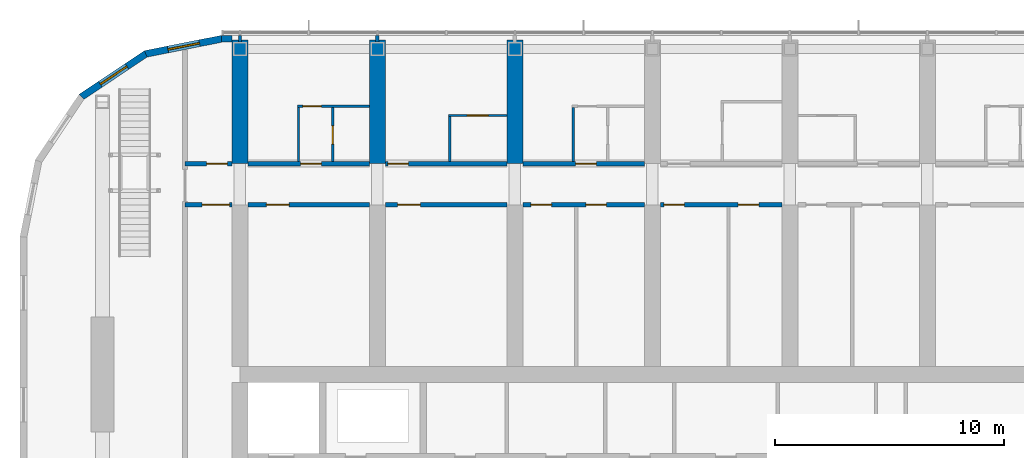
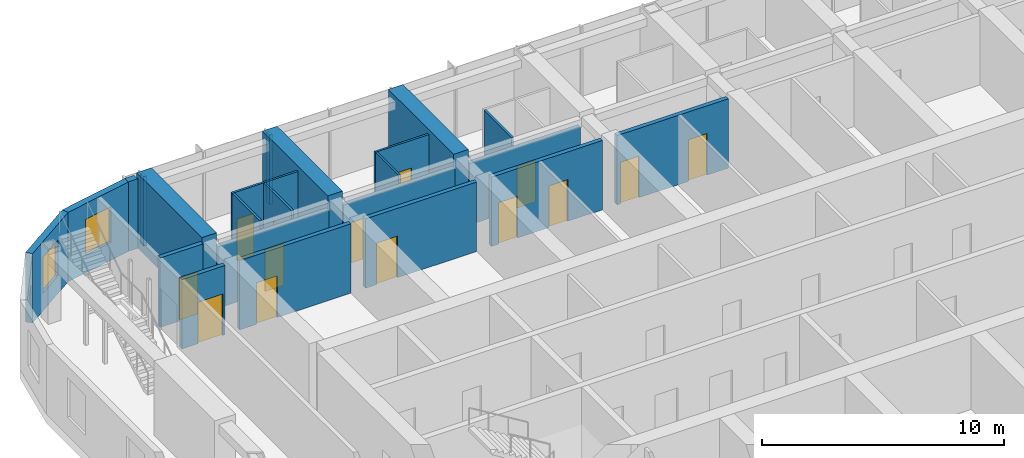
# One storey, part 17 of 26: 23 walls, 14 doors, 2 windows, 16 openings.
"""IFC4 building model written with IfcOpenShell, lengths in metres."""

from ifc_helpers import new_model, si_unit, direction, frame, frame_2d, origin, place, context, subcontext, project, spatial, polyline, rectangle, outline, extrude, material, layer, layer_set, type_object, element, fill, save


model = new_model("IFC4")

# Units and contexts
model_context = context("Model", 3, precision=1e-05, world=origin(), true_north=direction((0.0, 1.0)))
body_context = subcontext(model_context, "Body", "Model", "MODEL_VIEW")
ifc_project = project(units=[si_unit("LENGTHUNIT", "METRE"), si_unit("AREAUNIT", "SQUARE_METRE"), si_unit("VOLUMEUNIT", "CUBIC_METRE"), si_unit("PLANEANGLEUNIT", "RADIAN"), si_unit("MASSUNIT", "GRAM", prefix="KILO")], contexts=[model_context])

# Site, building, storey
site_placement = place(None, origin())
site = spatial("IfcSite", under=ifc_project, at=site_placement, CompositionType="ELEMENT")
building_placement = place(site_placement, origin())
building = spatial("IfcBuilding", under=site, at=building_placement, Name="Orbita Commons", CompositionType="ELEMENT")
storey_placement = place(building_placement, frame((0.0, 0.0, 231.550048828125)))
storey = spatial("IfcBuildingStorey", under=building, at=storey_placement, Name="L57", CompositionType="ELEMENT", Elevation=231.550048828125)

# Wall, opening, door
ifc_material_1 = material(Name="Concrete blockwork", Category="masonry")
ifc_layer_1 = layer(ifc_material_1, 0.199951171875)
ifc_layer_set_1 = layer_set([ifc_layer_1], Name="Concrete blockwork")
wall_type_1 = type_object("IfcWallType", Name="Corridor wall 200 blockwork", PredefinedType="SOLIDWALL", material=ifc_layer_set_1)
wall_1_placement = place(storey_placement, frame((15.60009765625, 47.39990234375, 0.0), z_axis=(0.0, 0.0, 1.0), x_axis=(1.0, 0.0, 0.0)))
wall_1 = element("IfcWall", 1, at=wall_1_placement, inside=storey, type_object=wall_type_1, Name="Corridor wall 200 blockwork L57", PredefinedType="SOLIDWALL", context=body_context, shape_type="SweptSolid", body=[
    extrude(rectangle(XDim=2.0498046875, YDim=0.199951171875, at=frame_2d((1.02490234375, 0.0))), origin(), (0.0, 0.0, 1.0), 3.5),
])
opening_1_placement = place(wall_1_placement, frame((0.949951171875, 0.0, 0.0)))
opening_1 = element("IfcOpeningElement", 2, at=opening_1_placement, cuts=wall_1, Name="Opening D05", PredefinedType="OPENING", context=body_context, shape_type="SweptSolid", body=[
    extrude(rectangle(XDim=0.89990234375, YDim=2.10009765625, at=frame_2d((0.449951171875, 1.050048828125))), frame((0.0, 0.10986328125, 0.0), z_axis=(0.0, -1.0, 0.0), x_axis=(1.0, 0.0, 0.0)), (0.0, 0.0, 1.0), 0.219970703125),
])
ifc_material_2 = material(Name="Steel-faced fire door leaf", Category="steel")
door_type_1 = type_object("IfcDoorType", Name="Service door 20 min 900x2100", OperationType="SINGLE_SWING_LEFT", PredefinedType="DOOR", material=ifc_material_2)
door_1_placement = place(opening_1_placement, origin())
door_1 = element("IfcDoor", 3, at=door_1_placement, inside=storey, type_object=door_type_1, Name="Linen store L57-KWN door", OperationType="SINGLE_SWING_LEFT", OverallHeight=2.10009765625, OverallWidth=0.89990234375, PredefinedType="DOOR", context=body_context, shape_type="SweptSolid", body=[
    extrude(rectangle(XDim=0.89990234375, YDim=2.10009765625, at=frame_2d((0.449951171875, 1.050048828125))), frame((0.0, 0.02490234375, 0.0), z_axis=(0.0, -1.0, 0.0), x_axis=(1.0, 0.0, 0.0)), (0.0, 0.0, 1.0), 0.050048828125),
])
fill(opening_1, door_1)

wall_2_placement = place(storey_placement, frame((18.35009765625, 47.39990234375, 0.0), z_axis=(0.0, 0.0, 1.0), x_axis=(1.0, 0.0, 0.0)))
wall_2 = element("IfcWall", 4, at=wall_2_placement, inside=storey, type_object=wall_type_1, Name="Corridor wall 200 blockwork L57", PredefinedType="SOLIDWALL", context=body_context, shape_type="SweptSolid", body=[
    extrude(outline(polyline([(0.0, 0.0), (5.2998046875, 0.0), (5.300048828125, 3.099853515625), (0.0, 3.099853515625), (0.0, 0.0)])), frame((0.0, 0.10009765625, 0.0), z_axis=(0.0, -1.0, 0.0), x_axis=(1.0, 0.0, 0.0)), (0.0, 0.0, 1.0), 0.199951171875),
])
opening_2_placement = place(wall_2_placement, frame((2.300048828125, 0.0, 0.0)))
opening_2 = element("IfcOpeningElement", 5, at=opening_2_placement, cuts=wall_2, Name="Opening D11", PredefinedType="OPENING", context=body_context, shape_type="SweptSolid", body=[
    extrude(rectangle(XDim=0.89990234375, YDim=2.10009765625, at=frame_2d((0.449951171875, 1.050048828125))), frame((0.0, 0.10986328125, 0.0), z_axis=(0.0, -1.0, 0.0), x_axis=(1.0, 0.0, 0.0)), (0.0, 0.0, 1.0), 0.219970703125),
])
ifc_material_3 = material(Name="Steel-faced fire door leaf", Category="steel")
door_type_2 = type_object("IfcDoorType", Name="Corridor door 20 min 900x2100", OperationType="SINGLE_SWING_LEFT", PredefinedType="DOOR", material=ifc_material_3)
door_2_placement = place(opening_2_placement, origin())
door_2 = element("IfcDoor", 6, at=door_2_placement, inside=storey, type_object=door_type_2, Name="Studio flat L57-N00 entrance door", OperationType="SINGLE_SWING_LEFT", OverallHeight=2.10009765625, OverallWidth=0.89990234375, PredefinedType="DOOR", context=body_context, shape_type="SweptSolid", body=[
    extrude(rectangle(XDim=0.89990234375, YDim=2.10009765625, at=frame_2d((0.449951171875, 1.050048828125))), frame((0.0, 0.02490234375, 0.0), z_axis=(0.0, -1.0, 0.0), x_axis=(1.0, 0.0, 0.0)), (0.0, 0.0, 1.0), 0.050048828125),
])
fill(opening_2, door_2)

wall_3_placement = place(storey_placement, frame((24.35009765625, 47.39990234375, 0.0), z_axis=(0.0, 0.0, 1.0), x_axis=(1.0, 0.0, 0.0)))
wall_3 = element("IfcWall", 7, at=wall_3_placement, inside=storey, type_object=wall_type_1, Name="Corridor wall 200 blockwork L57", PredefinedType="SOLIDWALL", context=body_context, shape_type="SweptSolid", body=[
    extrude(outline(polyline([(0.0, 0.0), (5.2998046875, 0.0), (5.300048828125, 3.099853515625), (0.0, 3.099853515625), (0.0, 0.0)])), frame((0.0, 0.10009765625, 0.0), z_axis=(0.0, -1.0, 0.0), x_axis=(1.0, 0.0, 0.0)), (0.0, 0.0, 1.0), 0.199951171875),
])
opening_3_placement = place(wall_3_placement, frame((0.10009765625, 0.0, 0.0)))
opening_3 = element("IfcOpeningElement", 8, at=opening_3_placement, cuts=wall_3, Name="Opening D11", PredefinedType="OPENING", context=body_context, shape_type="SweptSolid", body=[
    extrude(rectangle(XDim=0.89990234375, YDim=2.10009765625, at=frame_2d((0.449951171875, 1.050048828125))), frame((0.0, 0.10986328125, 0.0), z_axis=(0.0, -1.0, 0.0), x_axis=(1.0, 0.0, 0.0)), (0.0, 0.0, 1.0), 0.219970703125),
])
door_3_placement = place(opening_3_placement, origin())
door_3 = element("IfcDoor", 9, at=door_3_placement, inside=storey, type_object=door_type_2, Name="Studio apartment with kitchenette L57-N02 door", OperationType="SINGLE_SWING_LEFT", OverallHeight=2.10009765625, OverallWidth=0.89990234375, PredefinedType="DOOR", context=body_context, shape_type="SweptSolid", body=[
    extrude(rectangle(XDim=0.89990234375, YDim=2.10009765625, at=frame_2d((0.449951171875, 1.050048828125))), frame((0.0, 0.02490234375, 0.0), z_axis=(0.0, -1.0, 0.0), x_axis=(1.0, 0.0, 0.0)), (0.0, 0.0, 1.0), 0.050048828125),
])
fill(opening_3, door_3)

wall_4_placement = place(storey_placement, frame((30.35009765625, 47.39990234375, 0.0), z_axis=(0.0, 0.0, 1.0), x_axis=(1.0, 0.0, 0.0)))
wall_4 = element("IfcWall", 10, at=wall_4_placement, inside=storey, type_object=wall_type_1, Name="Corridor wall 200 blockwork L57", PredefinedType="SOLIDWALL", context=body_context, shape_type="SweptSolid", body=[
    extrude(outline(polyline([(0.0, 0.0), (5.2998046875, 0.0), (5.300048828125, 3.099853515625), (0.0, 3.099853515625), (0.0, 0.0)])), frame((0.0, 0.10009765625, 0.0), z_axis=(0.0, -1.0, 0.0), x_axis=(1.0, 0.0, 0.0)), (0.0, 0.0, 1.0), 0.199951171875),
])
opening_4_placement = place(wall_4_placement, frame((2.300048828125, 0.0, 0.0)))
opening_4 = element("IfcOpeningElement", 11, at=opening_4_placement, cuts=wall_4, Name="Opening D11", PredefinedType="OPENING", context=body_context, shape_type="SweptSolid", body=[
    extrude(rectangle(XDim=0.89990234375, YDim=2.10009765625, at=frame_2d((0.449951171875, 1.050048828125))), frame((0.0, 0.10986328125, 0.0), z_axis=(0.0, -1.0, 0.0), x_axis=(1.0, 0.0, 0.0)), (0.0, 0.0, 1.0), 0.219970703125),
])
door_4_placement = place(opening_4_placement, origin())
door_4 = element("IfcDoor", 12, at=door_4_placement, inside=storey, type_object=door_type_2, Name="Studio flat L57-N04 entrance door", OperationType="SINGLE_SWING_LEFT", OverallHeight=2.10009765625, OverallWidth=0.89990234375, PredefinedType="DOOR", context=body_context, shape_type="SweptSolid", body=[
    extrude(rectangle(XDim=0.89990234375, YDim=2.10009765625, at=frame_2d((0.449951171875, 1.050048828125))), frame((0.0, 0.02490234375, 0.0), z_axis=(0.0, -1.0, 0.0), x_axis=(1.0, 0.0, 0.0)), (0.0, 0.0, 1.0), 0.050048828125),
])
fill(opening_4, door_4)

ifc_material_4 = material(Name="Hollow concrete block 200", Category="concrete")
ifc_layer_2 = layer(ifc_material_4, 0.199951171875)
ifc_layer_set_2 = layer_set([ifc_layer_2], Name="Hollow concrete block 200")
wall_type_2 = type_object("IfcWallType", Name="Corridor wall 200 hollow concrete block", PredefinedType="SOLIDWALL", material=ifc_layer_set_2)
wall_5_placement = place(storey_placement, frame((15.60009765625, 45.60009765625, 0.0), z_axis=(0.0, 0.0, 1.0), x_axis=(1.0, 0.0, 0.0)))
wall_5 = element("IfcWall", 13, at=wall_5_placement, inside=storey, type_object=wall_type_2, Name="Corridor wall 200 hollow concrete block L57", PredefinedType="SOLIDWALL", context=body_context, shape_type="SweptSolid", body=[
    extrude(rectangle(XDim=2.0498046875, YDim=0.199951171875, at=frame_2d((1.02490234375, 0.0))), origin(), (0.0, 0.0, 1.0), 3.5),
])
opening_5_placement = place(wall_5_placement, frame((0.75, 0.0, 0.0)))
opening_5 = element("IfcOpeningElement", 14, at=opening_5_placement, cuts=wall_5, Name="Opening D12", PredefinedType="OPENING", context=body_context, shape_type="SweptSolid", body=[
    extrude(rectangle(XDim=1.199951171875, YDim=2.10009765625, at=frame_2d((0.60009765625, 1.050048828125))), frame((0.0, 0.10986328125, 0.0), z_axis=(0.0, -1.0, 0.0), x_axis=(1.0, 0.0, 0.0)), (0.0, 0.0, 1.0), 0.219970703125),
])
ifc_material_5 = material(Name="Steel-faced fire door leaf", Category="steel")
door_type_3 = type_object("IfcDoorType", Name="Double corridor door 20 min 1200x2100", OperationType="DOUBLE_DOOR_SINGLE_SWING", PredefinedType="DOOR", material=ifc_material_5)
door_5_placement = place(opening_5_placement, origin())
door_5 = element("IfcDoor", 15, at=door_5_placement, inside=storey, type_object=door_type_3, Name="Cross corridor doors", OperationType="DOUBLE_DOOR_SINGLE_SWING", OverallHeight=2.10009765625, OverallWidth=1.199951171875, PredefinedType="DOOR", context=body_context, shape_type="SweptSolid", body=[
    extrude(rectangle(XDim=1.199951171875, YDim=2.10009765625, at=frame_2d((0.60009765625, 1.050048828125))), frame((0.0, 0.02490234375, 0.0), z_axis=(0.0, -1.0, 0.0), x_axis=(1.0, 0.0, 0.0)), (0.0, 0.0, 1.0), 0.050048828125),
])
fill(opening_5, door_5)

wall_6_placement = place(storey_placement, frame((18.35009765625, 45.60009765625, 0.0), z_axis=(0.0, 0.0, 1.0), x_axis=(1.0, 0.0, 0.0)))
wall_6 = element("IfcWall", 16, at=wall_6_placement, inside=storey, type_object=wall_type_2, Name="Corridor wall 200 hollow concrete block L57", PredefinedType="SOLIDWALL", context=body_context, shape_type="SweptSolid", body=[
    extrude(rectangle(XDim=5.2998046875, YDim=0.199951171875, at=frame_2d((2.64990234375, 0.0))), origin(), (0.0, 0.0, 1.0), 3.5),
])
opening_6_placement = place(wall_6_placement, frame((0.800048828125, 0.0, 0.0)))
opening_6 = element("IfcOpeningElement", 17, at=opening_6_placement, cuts=wall_6, Name="Opening D06", PredefinedType="OPENING", context=body_context, shape_type="SweptSolid", body=[
    extrude(rectangle(XDim=1.0, YDim=2.10009765625, at=frame_2d((0.5, 1.050048828125))), frame((0.0, 0.10986328125, 0.0), z_axis=(0.0, -1.0, 0.0), x_axis=(1.0, 0.0, 0.0)), (0.0, 0.0, 1.0), 0.219970703125),
])
ifc_material_6 = material(Name="Steel-faced fire door leaf", Category="steel")
door_type_4 = type_object("IfcDoorType", Name="Corridor door 20 min 1000x2100", OperationType="SINGLE_SWING_LEFT", PredefinedType="DOOR", material=ifc_material_6)
door_6_placement = place(opening_6_placement, origin())
door_6 = element("IfcDoor", 18, at=door_6_placement, inside=storey, type_object=door_type_4, Name="Refuse and recycling room L57-BDN18 door", OperationType="SINGLE_SWING_LEFT", OverallHeight=2.10009765625, OverallWidth=1.0, PredefinedType="DOOR", context=body_context, shape_type="SweptSolid", body=[
    extrude(rectangle(XDim=1.0, YDim=2.10009765625, at=frame_2d((0.5, 1.050048828125))), frame((0.0, 0.02490234375, 0.0), z_axis=(0.0, -1.0, 0.0), x_axis=(1.0, 0.0, 0.0)), (0.0, 0.0, 1.0), 0.050048828125),
])
fill(opening_6, door_6)

wall_7_placement = place(storey_placement, frame((24.35009765625, 45.60009765625, 0.0), z_axis=(0.0, 0.0, 1.0), x_axis=(1.0, 0.0, 0.0)))
wall_7 = element("IfcWall", 19, at=wall_7_placement, inside=storey, type_object=wall_type_2, Name="Corridor wall 200 hollow concrete block L57", PredefinedType="SOLIDWALL", context=body_context, shape_type="SweptSolid", body=[
    extrude(rectangle(XDim=5.2998046875, YDim=0.199951171875, at=frame_2d((2.64990234375, 0.0))), origin(), (0.0, 0.0, 1.0), 3.5),
])
opening_7_placement = place(wall_7_placement, frame((0.52490234375, 0.0, 0.0)))
opening_7 = element("IfcOpeningElement", 20, at=opening_7_placement, cuts=wall_7, Name="Opening D06", PredefinedType="OPENING", context=body_context, shape_type="SweptSolid", body=[
    extrude(rectangle(XDim=1.0, YDim=2.10009765625, at=frame_2d((0.5, 1.050048828125))), frame((0.0, 0.10986328125, 0.0), z_axis=(0.0, -1.0, 0.0), x_axis=(1.0, 0.0, 0.0)), (0.0, 0.0, 1.0), 0.219970703125),
])
door_7_placement = place(opening_7_placement, origin())
door_7 = element("IfcDoor", 21, at=door_7_placement, inside=storey, type_object=door_type_4, Name="Cleaners store L57-BDN24 door", OperationType="SINGLE_SWING_LEFT", OverallHeight=2.10009765625, OverallWidth=1.0, PredefinedType="DOOR", context=body_context, shape_type="SweptSolid", body=[
    extrude(rectangle(XDim=1.0, YDim=2.10009765625, at=frame_2d((0.5, 1.050048828125))), frame((0.0, 0.02490234375, 0.0), z_axis=(0.0, -1.0, 0.0), x_axis=(1.0, 0.0, 0.0)), (0.0, 0.0, 1.0), 0.050048828125),
])
fill(opening_7, door_7)

# Wall, openings, doors
wall_8_placement = place(storey_placement, frame((30.35009765625, 45.60009765625, 0.0), z_axis=(0.0, 0.0, 1.0), x_axis=(1.0, 0.0, 0.0)))
wall_8 = element("IfcWall", 22, at=wall_8_placement, inside=storey, type_object=wall_type_2, Name="Corridor wall 200 hollow concrete block L57", PredefinedType="SOLIDWALL", context=body_context, shape_type="SweptSolid", body=[
    extrude(rectangle(XDim=5.2998046875, YDim=0.199951171875, at=frame_2d((2.64990234375, 0.0))), origin(), (0.0, 0.0, 1.0), 3.5),
])
opening_8_placement = place(wall_8_placement, frame((0.35009765625, 0.0, 0.0)))
opening_8 = element("IfcOpeningElement", 23, at=opening_8_placement, cuts=wall_8, Name="Opening D11", PredefinedType="OPENING", context=body_context, shape_type="SweptSolid", body=[
    extrude(rectangle(XDim=0.89990234375, YDim=2.10009765625, at=frame_2d((0.449951171875, 1.050048828125))), frame((0.0, 0.10986328125, 0.0), z_axis=(0.0, -1.0, 0.0), x_axis=(1.0, 0.0, 0.0)), (0.0, 0.0, 1.0), 0.219970703125),
])
opening_9_placement = place(wall_8_placement, frame((2.7451171875, 0.0, 0.0)))
opening_9 = element("IfcOpeningElement", 24, at=opening_9_placement, cuts=wall_8, Name="Opening D11", PredefinedType="OPENING", context=body_context, shape_type="SweptSolid", body=[
    extrude(rectangle(XDim=0.89990234375, YDim=2.10009765625, at=frame_2d((0.449951171875, 1.050048828125))), frame((0.0, 0.10986328125, 0.0), z_axis=(0.0, -1.0, 0.0), x_axis=(1.0, 0.0, 0.0)), (0.0, 0.0, 1.0), 0.219970703125),
])
door_8_placement = place(opening_8_placement, origin())
door_8 = element("IfcDoor", 25, at=door_8_placement, inside=storey, type_object=door_type_2, Name="Battery and UPS room L57-BDN30n door", OperationType="SINGLE_SWING_LEFT", OverallHeight=2.10009765625, OverallWidth=0.89990234375, PredefinedType="DOOR", context=body_context, shape_type="SweptSolid", body=[
    extrude(rectangle(XDim=0.89990234375, YDim=2.10009765625, at=frame_2d((0.449951171875, 1.050048828125))), frame((0.0, 0.02490234375, 0.0), z_axis=(0.0, -1.0, 0.0), x_axis=(1.0, 0.0, 0.0)), (0.0, 0.0, 1.0), 0.050048828125),
])
fill(opening_8, door_8)
door_9_placement = place(opening_9_placement, origin())
door_9 = element("IfcDoor", 26, at=door_9_placement, inside=storey, type_object=door_type_2, Name="Furniture store L57-BDN30 door", OperationType="SINGLE_SWING_LEFT", OverallHeight=2.10009765625, OverallWidth=0.89990234375, PredefinedType="DOOR", context=body_context, shape_type="SweptSolid", body=[
    extrude(rectangle(XDim=0.89990234375, YDim=2.10009765625, at=frame_2d((0.449951171875, 1.050048828125))), frame((0.0, 0.02490234375, 0.0), z_axis=(0.0, -1.0, 0.0), x_axis=(1.0, 0.0, 0.0)), (0.0, 0.0, 1.0), 0.050048828125),
])
fill(opening_9, door_9)

wall_9_placement = place(storey_placement, frame((36.35009765625, 45.60009765625, 0.0), z_axis=(0.0, 0.0, 1.0), x_axis=(1.0, 0.0, 0.0)))
wall_9 = element("IfcWall", 27, at=wall_9_placement, inside=storey, type_object=wall_type_2, Name="Corridor wall 200 hollow concrete block L57", PredefinedType="SOLIDWALL", context=body_context, shape_type="SweptSolid", body=[
    extrude(rectangle(XDim=5.2998046875, YDim=0.199951171875, at=frame_2d((2.64990234375, 0.0))), origin(), (0.0, 0.0, 1.0), 3.5),
])
opening_10_placement = place(wall_9_placement, frame((0.14990234375, 0.0, 0.0)))
opening_10 = element("IfcOpeningElement", 28, at=opening_10_placement, cuts=wall_9, Name="Opening D11", PredefinedType="OPENING", context=body_context, shape_type="SweptSolid", body=[
    extrude(rectangle(XDim=0.89990234375, YDim=2.10009765625, at=frame_2d((0.449951171875, 1.050048828125))), frame((0.0, 0.10986328125, 0.0), z_axis=(0.0, -1.0, 0.0), x_axis=(1.0, 0.0, 0.0)), (0.0, 0.0, 1.0), 0.219970703125),
])
opening_11_placement = place(wall_9_placement, frame((3.39501953125, 0.0, 0.0)))
opening_11 = element("IfcOpeningElement", 29, at=opening_11_placement, cuts=wall_9, Name="Opening D11", PredefinedType="OPENING", context=body_context, shape_type="SweptSolid", body=[
    extrude(rectangle(XDim=0.89990234375, YDim=2.10009765625, at=frame_2d((0.449951171875, 1.050048828125))), frame((0.0, 0.10986328125, 0.0), z_axis=(0.0, -1.0, 0.0), x_axis=(1.0, 0.0, 0.0)), (0.0, 0.0, 1.0), 0.219970703125),
])
door_10_placement = place(opening_10_placement, origin())
door_10 = element("IfcDoor", 30, at=door_10_placement, inside=storey, type_object=door_type_2, Name="Bulk and luggage store L57-BDN36 door", OperationType="SINGLE_SWING_LEFT", OverallHeight=2.10009765625, OverallWidth=0.89990234375, PredefinedType="DOOR", context=body_context, shape_type="SweptSolid", body=[
    extrude(rectangle(XDim=0.89990234375, YDim=2.10009765625, at=frame_2d((0.449951171875, 1.050048828125))), frame((0.0, 0.02490234375, 0.0), z_axis=(0.0, -1.0, 0.0), x_axis=(1.0, 0.0, 0.0)), (0.0, 0.0, 1.0), 0.050048828125),
])
fill(opening_10, door_10)
door_11_placement = place(opening_11_placement, origin())
door_11 = element("IfcDoor", 31, at=door_11_placement, inside=storey, type_object=door_type_2, Name="Sprinkler valve room L57-BDN36n door", OperationType="SINGLE_SWING_LEFT", OverallHeight=2.10009765625, OverallWidth=0.89990234375, PredefinedType="DOOR", context=body_context, shape_type="SweptSolid", body=[
    extrude(rectangle(XDim=0.89990234375, YDim=2.10009765625, at=frame_2d((0.449951171875, 1.050048828125))), frame((0.0, 0.02490234375, 0.0), z_axis=(0.0, -1.0, 0.0), x_axis=(1.0, 0.0, 0.0)), (0.0, 0.0, 1.0), 0.050048828125),
])
fill(opening_11, door_11)

# Walls
ifc_material_7 = material(Name="Concrete C50/60", Category="concrete")
ifc_layer_3 = layer(ifc_material_7, 0.699951171875)
ifc_layer_set_3 = layer_set([ifc_layer_3], Name="Concrete C50/60")
wall_type_3 = type_object("IfcWallType", Name="Cross wall 700 C50/60", PredefinedType="SHEAR", material=ifc_layer_set_3)
for number, where, z_axis, x_axis, name in (
    (32, (18.0, 47.39990234375, 0.0), (0.0, 0.0, 1.0), (0.0, 1.0, 0.0), "Cross wall 4 north outer L57"),
    (33, (24.0, 47.39990234375, 0.0), (0.0, 0.0, 1.0), (0.0, 1.0, 0.0), "Cross wall 5 north outer L57"),
    (34, (30.0, 47.39990234375, 0.0), (0.0, 0.0, 1.0), (0.0, 1.0, 0.0), "Cross wall 6 north outer L57"),
):
    element("IfcWall", number, at=place(storey_placement, frame(where, z_axis=z_axis, x_axis=x_axis)), inside=storey, type_object=wall_type_3, Name=name, PredefinedType="SHEAR", context=body_context, shape_type="SweptSolid", body=[
        extrude(rectangle(XDim=5.400146484375, YDim=0.699951171875, at=frame_2d((2.7001953125, 0.0))), origin(), (0.0, 0.0, 1.0), 3.75),
    ])

# Wall, opening, door
ifc_material_8 = material(Name="Moisture-resistant plasterboard on steel studs", Category="steel")
ifc_layer_4 = layer(ifc_material_8, 0.10009765625)
ifc_layer_set_4 = layer_set([ifc_layer_4], Name="Moisture-resistant plasterboard on steel studs")
wall_type_4 = type_object("IfcWallType", Name="En-suite partition 100", PredefinedType="PARTITIONING", material=ifc_layer_set_4)
wall_10_placement = place(storey_placement, frame((20.5, 49.89990234375, 0.0), z_axis=(0.0, 0.0, 1.0), x_axis=(1.0, 0.0, 0.0)))
wall_10 = element("IfcWall", 35, at=wall_10_placement, inside=storey, type_object=wall_type_4, Name="En-suite partition 100 L57", PredefinedType="PARTITIONING", context=body_context, shape_type="SweptSolid", body=[
    extrude(rectangle(XDim=3.14990234375, YDim=0.10009765625, at=frame_2d((1.574951171875, 0.0))), origin(), (0.0, 0.0, 1.0), 3.5),
])
opening_12_placement = place(wall_10_placement, frame((0.25, 0.0, 0.0)))
opening_12 = element("IfcOpeningElement", 36, at=opening_12_placement, cuts=wall_10, Name="Opening D16", PredefinedType="OPENING", context=body_context, shape_type="SweptSolid", body=[
    extrude(rectangle(XDim=0.800048828125, YDim=2.10009765625, at=frame_2d((0.39990234375, 1.050048828125))), frame((0.0, 0.06005859375, 0.0), z_axis=(0.0, -1.0, 0.0), x_axis=(1.0, 0.0, 0.0)), (0.0, 0.0, 1.0), 0.1201171875),
])
ifc_material_9 = material(Name="Laminated timber door leaf", Category="wood")
door_type_5 = type_object("IfcDoorType", Name="En-suite door 800x2100", OperationType="SINGLE_SWING_RIGHT", PredefinedType="DOOR", material=ifc_material_9)
door_12_placement = place(opening_12_placement, origin())
door_12 = element("IfcDoor", 37, at=door_12_placement, inside=storey, type_object=door_type_5, Name="Studio flat L57-N00 door", OperationType="SINGLE_SWING_RIGHT", OverallHeight=2.10009765625, OverallWidth=0.800048828125, PredefinedType="DOOR", context=body_context, shape_type="SweptSolid", body=[
    extrude(rectangle(XDim=0.800048828125, YDim=2.10009765625, at=frame_2d((0.39990234375, 1.050048828125))), frame((0.0, 0.02490234375, 0.0), z_axis=(0.0, -1.0, 0.0), x_axis=(1.0, 0.0, 0.0)), (0.0, 0.0, 1.0), 0.050048828125),
])
fill(opening_12, door_12)

# Wall
wall_11_placement = place(storey_placement, frame((20.550048828125, 49.85009765625, 0.0), z_axis=(0.0, 0.0, 1.0), x_axis=(0.0, -1.0, 0.0)))
element("IfcWall", 38, at=wall_11_placement, inside=storey, type_object=wall_type_4, Name="En-suite partition 100 L57", PredefinedType="PARTITIONING", context=body_context, shape_type="SweptSolid", body=[
    extrude(outline(polyline([(0.0, 0.0), (2.35009765625, 0.0), (2.35009765625, 3.099853515625), (2.302001953125, 3.099853515625), (2.300048828125, 3.5), (0.0, 3.5), (0.0, 0.0)])), frame((0.0, 0.050048828125, 0.0), z_axis=(0.0, -1.0, 0.0), x_axis=(1.0, 0.0, 0.0)), (0.0, 0.0, 1.0), 0.10009765625),
])

# Wall, opening, door
wall_12_placement = place(storey_placement, frame((22.050048828125, 49.85009765625, 0.0), z_axis=(0.0, 0.0, 1.0), x_axis=(0.0, -1.0, 0.0)))
wall_12 = element("IfcWall", 39, at=wall_12_placement, inside=storey, type_object=wall_type_4, Name="En-suite partition 100 L57", PredefinedType="PARTITIONING", context=body_context, shape_type="SweptSolid", body=[
    extrude(outline(polyline([(0.0, 0.0), (2.35009765625, 0.0), (2.35009765625, 3.099853515625), (2.302001953125, 3.099853515625), (2.300048828125, 3.5), (0.0, 3.5), (0.0, 0.0)])), frame((0.0, 0.050048828125, 0.0), z_axis=(0.0, -1.0, 0.0), x_axis=(1.0, 0.0, 0.0)), (0.0, 0.0, 1.0), 0.10009765625),
])
opening_13_placement = place(wall_12_placement, frame((0.800048828125, 0.0, 0.0)))
opening_13 = element("IfcOpeningElement", 40, at=opening_13_placement, cuts=wall_12, Name="Opening D16", PredefinedType="OPENING", context=body_context, shape_type="SweptSolid", body=[
    extrude(rectangle(XDim=0.800048828125, YDim=2.10009765625, at=frame_2d((0.39990234375, 1.050048828125))), frame((0.0, 0.06005859375, 0.0), z_axis=(0.0, -1.0, 0.0), x_axis=(1.0, 0.0, 0.0)), (0.0, 0.0, 1.0), 0.1201171875),
])
door_13_placement = place(opening_13_placement, origin())
door_13 = element("IfcDoor", 41, at=door_13_placement, inside=storey, type_object=door_type_5, Name="Studio flat shower room L57-N00 door", OperationType="SINGLE_SWING_RIGHT", OverallHeight=2.10009765625, OverallWidth=0.800048828125, PredefinedType="DOOR", context=body_context, shape_type="SweptSolid", body=[
    extrude(rectangle(XDim=0.800048828125, YDim=2.10009765625, at=frame_2d((0.39990234375, 1.050048828125))), frame((0.0, 0.02490234375, 0.0), z_axis=(0.0, -1.0, 0.0), x_axis=(1.0, 0.0, 0.0)), (0.0, 0.0, 1.0), 0.050048828125),
])
fill(opening_13, door_13)

wall_13_placement = place(storey_placement, frame((27.10009765625, 49.5, 0.0), z_axis=(0.0, 0.0, 1.0), x_axis=(1.0, 0.0, 0.0)))
wall_13 = element("IfcWall", 42, at=wall_13_placement, inside=storey, type_object=wall_type_4, Name="En-suite partition 100 L57", PredefinedType="PARTITIONING", context=body_context, shape_type="SweptSolid", body=[
    extrude(rectangle(XDim=2.5498046875, YDim=0.10009765625, at=frame_2d((1.27490234375, 0.0))), origin(), (0.0, 0.0, 1.0), 3.5),
])
opening_14_placement = place(wall_13_placement, frame((0.824951171875, 0.0, 0.0)))
opening_14 = element("IfcOpeningElement", 43, at=opening_14_placement, cuts=wall_13, Name="Opening D09", PredefinedType="OPENING", context=body_context, shape_type="SweptSolid", body=[
    extrude(rectangle(XDim=0.89990234375, YDim=2.10009765625, at=frame_2d((0.449951171875, 1.050048828125))), frame((0.0, 0.06005859375, 0.0), z_axis=(0.0, -1.0, 0.0), x_axis=(1.0, 0.0, 0.0)), (0.0, 0.0, 1.0), 0.1201171875),
])
ifc_material_10 = material(Name="Laminated timber door leaf", Category="wood")
door_type_6 = type_object("IfcDoorType", Name="En-suite door 900x2100", OperationType="SINGLE_SWING_RIGHT", PredefinedType="DOOR", material=ifc_material_10)
door_14_placement = place(opening_14_placement, origin())
door_14 = element("IfcDoor", 44, at=door_14_placement, inside=storey, type_object=door_type_6, Name="En-suite L57-N02 door", OperationType="SINGLE_SWING_RIGHT", OverallHeight=2.10009765625, OverallWidth=0.89990234375, PredefinedType="DOOR", context=body_context, shape_type="SweptSolid", body=[
    extrude(rectangle(XDim=0.89990234375, YDim=2.10009765625, at=frame_2d((0.449951171875, 1.050048828125))), frame((0.0, 0.02490234375, 0.0), z_axis=(0.0, -1.0, 0.0), x_axis=(1.0, 0.0, 0.0)), (0.0, 0.0, 1.0), 0.050048828125),
])
fill(opening_14, door_14)

# Walls
wall_14_placement = place(storey_placement, frame((27.14990234375, 49.449951171875, 0.0), z_axis=(0.0, 0.0, 1.0), x_axis=(0.0, -1.0, 0.0)))
element("IfcWall", 45, at=wall_14_placement, inside=storey, type_object=wall_type_4, Name="En-suite partition 100 L57", PredefinedType="PARTITIONING", context=body_context, shape_type="SweptSolid", body=[
    extrude(outline(polyline([(0.0, 0.0), (1.949951171875, 0.0), (1.949951171875, 3.099853515625), (1.902099609375, 3.099853515625), (1.89990234375, 3.5), (0.0, 3.5), (0.0, 0.0)])), frame((0.0, 0.050048828125, 0.0), z_axis=(0.0, -1.0, 0.0), x_axis=(1.0, 0.0, 0.0)), (0.0, 0.0, 1.0), 0.10009765625),
])
wall_15_placement = place(storey_placement, frame((32.550048828125, 49.85009765625, 0.0), z_axis=(0.0, 0.0, 1.0), x_axis=(0.0, -1.0, 0.0)))
element("IfcWall", 46, at=wall_15_placement, inside=storey, type_object=wall_type_4, Name="En-suite partition 100 L57", PredefinedType="PARTITIONING", context=body_context, shape_type="SweptSolid", body=[
    extrude(outline(polyline([(0.0, 0.0), (2.35009765625, 0.0), (2.35009765625, 3.099853515625), (2.302001953125, 3.099853515625), (2.300048828125, 3.5), (0.0, 3.5), (0.0, 0.0)])), frame((0.0, 0.050048828125, 0.0), z_axis=(0.0, -1.0, 0.0), x_axis=(1.0, 0.0, 0.0)), (0.0, 0.0, 1.0), 0.10009765625),
])
ifc_material_11 = material(Name="Gypsum plasterboard on steel studs", Category="steel")
ifc_layer_5 = layer(ifc_material_11, 0.14990234375)
ifc_layer_set_5 = layer_set([ifc_layer_5], Name="Gypsum plasterboard on steel studs")
wall_type_5 = type_object("IfcWallType", Name="Partition 150 plasterboard", PredefinedType="PARTITIONING", material=ifc_layer_set_5)
for number, where, z_axis, x_axis, name in (
    (47, (18.0, 52.699951171875, 0.0), (0.0, 0.0, 1.0), (0.0, 1.0, 0.0), "Partition 150 plasterboard L57"),
    (48, (24.0, 52.699951171875, 0.0), (0.0, 0.0, 1.0), (0.0, 1.0, 0.0), "Partition 150 plasterboard L57"),
):
    element("IfcWall", number, at=place(storey_placement, frame(where, z_axis=z_axis, x_axis=x_axis)), inside=storey, type_object=wall_type_5, Name=name, PredefinedType="PARTITIONING", context=body_context, shape_type="SweptSolid", body=[
        extrude(rectangle(XDim=0.2900390625, YDim=0.14990234375, at=frame_2d((0.14501953125, 0.0))), origin(), (0.0, 0.0, 1.0), 3.5),
    ])

# Wall, opening, window
ifc_material_12 = material(Name="Precast concrete C40/50, white board-marked finish", Category="concrete")
ifc_layer_6 = layer(ifc_material_12, 0.300048828125)
ifc_layer_set_6 = layer_set([ifc_layer_6], Name="Precast concrete C40/50, white board-marked finish")
wall_type_6 = type_object("IfcWallType", Name="Precast concrete end shield 300", PredefinedType="SOLIDWALL", material=ifc_layer_set_6)
wall_16_placement = place(storey_placement, frame((17.199951171875, 52.85009765625, 0.0), z_axis=(0.0, 0.0, 1.0), x_axis=(-0.98078325777, -0.195100490205, 0.0)))
wall_16 = element("IfcWall", 49, at=wall_16_placement, inside=storey, type_object=wall_type_6, Name="End shield NW chord 1 L57", PredefinedType="SOLIDWALL", context=body_context, shape_type="SweptSolid", body=[
    extrude(outline(polyline([(-0.02978515625, -0.14990234375), (3.40478515625, -0.14990234375), (3.34521484375, 0.14990234375), (0.02978515625, 0.14990234375), (-0.02978515625, -0.14990234375)])), origin(), (0.0, 0.0, 1.0), 3.5),
])
opening_15_placement = place(wall_16_placement, frame((0.987548828125, 0.0, 0.89990234375)))
opening_15 = element("IfcOpeningElement", 50, at=opening_15_placement, cuts=wall_16, Name="Opening W02", PredefinedType="OPENING", context=body_context, shape_type="SweptSolid", body=[
    extrude(rectangle(XDim=1.39990234375, YDim=1.800048828125, at=frame_2d((0.699951171875, 0.89990234375))), frame((0.0, 0.159912109375, 0.0), z_axis=(0.0, -1.0, 0.0), x_axis=(1.0, 0.0, 0.0)), (0.0, 0.0, 1.0), 0.320068359375),
])
ifc_material_13 = material(Name="Aluminium frame, clear double glazing", Category="aluminium")
window_type = type_object("IfcWindowType", Name="Deep-set window 1400x1800", PartitioningType="SINGLE_PANEL", PredefinedType="WINDOW", material=ifc_material_13)
window_1_placement = place(opening_15_placement, origin())
window_1 = element("IfcWindow", 51, at=window_1_placement, inside=storey, type_object=window_type, Name="Window L57-NW0", OverallHeight=1.800048828125, OverallWidth=1.39990234375, PartitioningType="SINGLE_PANEL", PredefinedType="WINDOW", context=body_context, shape_type="SweptSolid", body=[
    extrude(rectangle(XDim=1.39990234375, YDim=1.800048828125, at=frame_2d((0.699951171875, 0.89990234375))), frame((0.0, 0.030029296875, 0.0), z_axis=(0.0, -1.0, 0.0), x_axis=(1.0, 0.0, 0.0)), (0.0, 0.0, 1.0), 0.06005859375),
])
fill(opening_15, window_1)

wall_17_placement = place(storey_placement, frame((13.889892578125, 52.191650390625, 0.0), z_axis=(0.0, 0.0, 1.0), x_axis=(-0.831460037396, -0.555584562613, 0.0)))
wall_17 = element("IfcWall", 52, at=wall_17_placement, inside=storey, type_object=wall_type_6, Name="End shield NW chord 2 L57", PredefinedType="SOLIDWALL", context=body_context, shape_type="SweptSolid", body=[
    extrude(outline(polyline([(-0.02978515625, -0.14990234375), (3.405029296875, -0.14990234375), (3.345458984375, 0.14990234375), (0.02978515625, 0.14990234375), (-0.02978515625, -0.14990234375)])), origin(), (0.0, 0.0, 1.0), 3.5),
])
opening_16_placement = place(wall_17_placement, frame((0.987548828125, 0.0, 0.89990234375)))
opening_16 = element("IfcOpeningElement", 53, at=opening_16_placement, cuts=wall_17, Name="Opening W02", PredefinedType="OPENING", context=body_context, shape_type="SweptSolid", body=[
    extrude(rectangle(XDim=1.39990234375, YDim=1.800048828125, at=frame_2d((0.699951171875, 0.89990234375))), frame((0.0, 0.159912109375, 0.0), z_axis=(0.0, -1.0, 0.0), x_axis=(1.0, 0.0, 0.0)), (0.0, 0.0, 1.0), 0.320068359375),
])
window_2_placement = place(opening_16_placement, origin())
window_2 = element("IfcWindow", 54, at=window_2_placement, inside=storey, type_object=window_type, Name="Window L57-NW1", OverallHeight=1.800048828125, OverallWidth=1.39990234375, PartitioningType="SINGLE_PANEL", PredefinedType="WINDOW", context=body_context, shape_type="SweptSolid", body=[
    extrude(rectangle(XDim=1.39990234375, YDim=1.800048828125, at=frame_2d((0.699951171875, 0.89990234375))), frame((0.0, 0.030029296875, 0.0), z_axis=(0.0, -1.0, 0.0), x_axis=(1.0, 0.0, 0.0)), (0.0, 0.0, 1.0), 0.06005859375),
])
fill(opening_16, window_2)

# Wall
wall_18_placement = place(storey_placement, frame((17.199951171875, 52.85009765625, 0.0), z_axis=(0.0, 0.0, 1.0), x_axis=(1.0, 0.0, 0.0)))
element("IfcWall", 55, at=wall_18_placement, inside=storey, type_object=wall_type_6, Name="End shield NW closer L57", PredefinedType="SOLIDWALL", context=body_context, shape_type="SweptSolid", body=[
    extrude(rectangle(XDim=0.449951171875, YDim=0.300048828125, at=frame_2d((0.22509765625, 0.0))), origin(), (0.0, 0.0, 1.0), 3.5),
])

save(model, "model.ifc")
